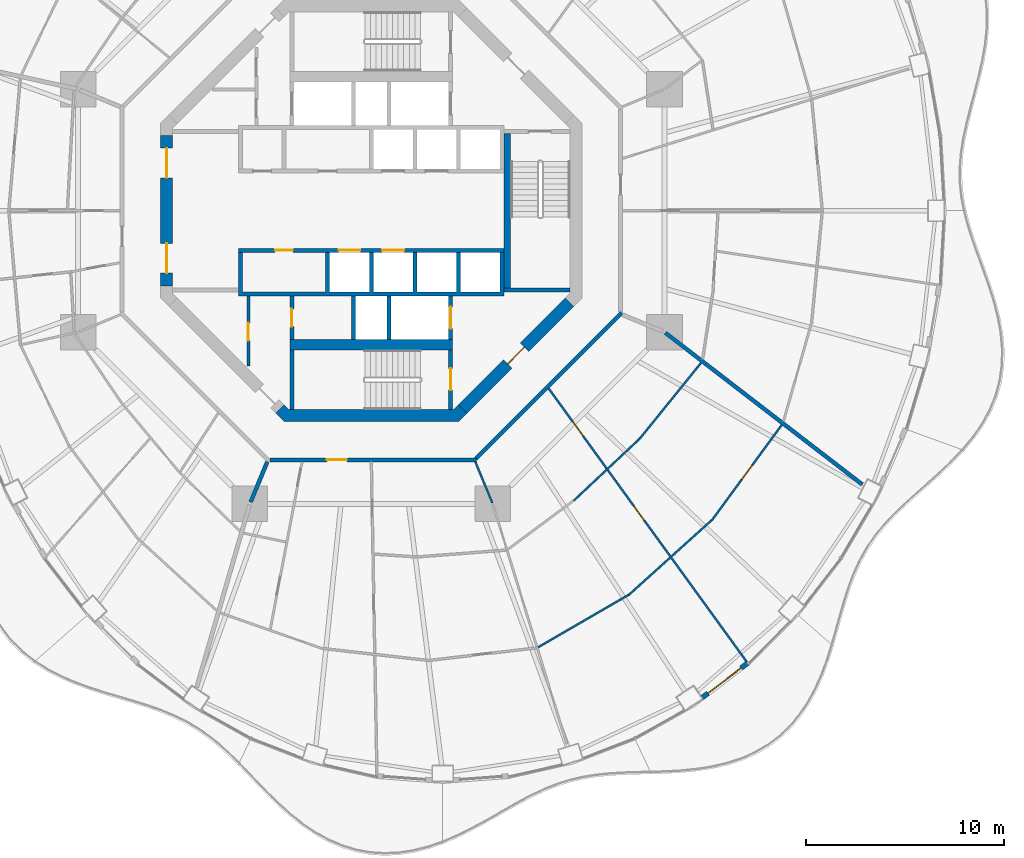
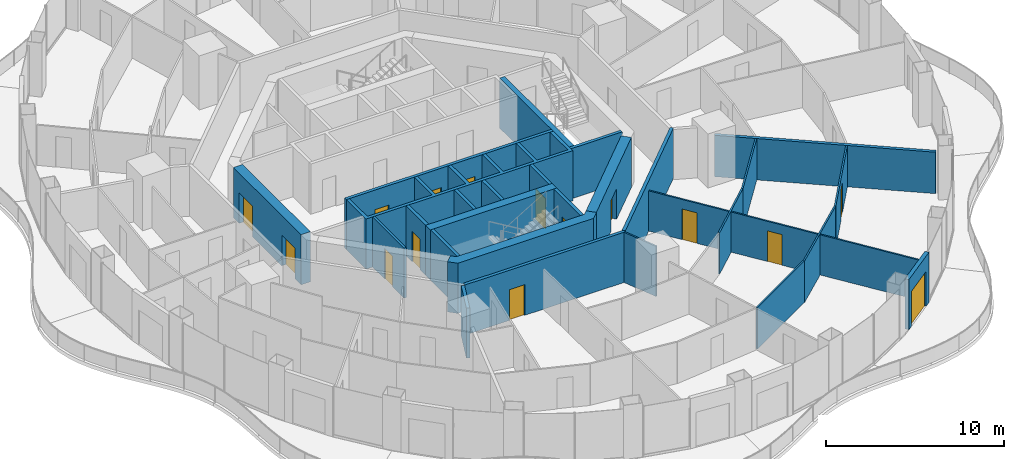
# One storey, part 12 of 19: 27 walls, 15 doors, 15 openings.
"""IFC4 building model written with IfcOpenShell, lengths in metres."""

from ifc_helpers import new_model, si_unit, direction, frame, frame_2d, origin, place, context, subcontext, project, spatial, polyline, rectangle, outline, extrude, material, layer, layer_set, type_object, element, fill, save


model = new_model("IFC4")

# Units and contexts
model_context = context("Model", 3, precision=1e-05, world=origin(), true_north=direction((0.0, 1.0)))
body_context = subcontext(model_context, "Body", "Model", "MODEL_VIEW")
ifc_project = project(units=[si_unit("LENGTHUNIT", "METRE"), si_unit("AREAUNIT", "SQUARE_METRE"), si_unit("VOLUMEUNIT", "CUBIC_METRE"), si_unit("PLANEANGLEUNIT", "RADIAN"), si_unit("MASSUNIT", "GRAM", prefix="KILO")], contexts=[model_context])

# Site, building, storey
site_placement = place(None, origin())
site = spatial("IfcSite", under=ifc_project, at=site_placement, CompositionType="ELEMENT")
building_placement = place(site_placement, origin())
building = spatial("IfcBuilding", under=site, at=building_placement, Name="Nagisa Residences", CompositionType="ELEMENT")
storey_placement = place(building_placement, frame((0.0, 0.0, 173.300048828125)))
storey = spatial("IfcBuildingStorey", under=building, at=storey_placement, Name="L43", CompositionType="ELEMENT", Elevation=173.300048828125)

# Walls
ifc_material_1 = material(Name="Gypsum board on steel studs", Category="steel")
ifc_layer_1 = layer(ifc_material_1, 0.199951171875)
ifc_layer_set_1 = layer_set([ifc_layer_1], Name="Apartment compartment wall EI60 200")
wall_type_1 = type_object("IfcWallType", Name="Apartment compartment wall EI60 200", PredefinedType="PARTITIONING", material=ifc_layer_set_1)
wall_1_placement = place(storey_placement, frame((-5.24267578125, -12.6572265625, 0.0), z_axis=(0.0, 0.0, 1.0), x_axis=(-0.382707856524, -0.923869415315, 0.0)))
element("IfcWall", 1, at=wall_1_placement, inside=storey, type_object=wall_type_1, Name="wall:L43:u04", PredefinedType="PARTITIONING", context=body_context, shape_type="SweptSolid", body=[
    extrude(rectangle(XDim=2.2001953125, YDim=0.199951171875, at=frame_2d((1.10009765625, 0.0))), origin(), (0.0, 0.0, 1.0), 3.43994140625),
])
wall_2_placement = place(storey_placement, frame((14.82177734375, -6.153564453125, 0.0), z_axis=(0.0, 0.0, 1.0), x_axis=(0.792203056092, -0.610257583254, 0.0)))
element("IfcWall", 2, at=wall_2_placement, inside=storey, type_object=wall_type_1, Name="wall:L43:u07", PredefinedType="PARTITIONING", context=body_context, shape_type="SweptSolid", body=[
    extrude(rectangle(XDim=12.53271484375, YDim=0.199951171875, at=frame_2d((6.266357421875, 0.0))), origin(), (0.0, 0.0, 1.0), 2.8369140625),
])

# Wall, opening, door
ifc_material_2 = material(Name="Gypsum board on steel studs", Category="steel")
ifc_layer_2 = layer(ifc_material_2, 0.199951171875)
ifc_layer_set_2 = layer_set([ifc_layer_2], Name="Apartment entry wall EI60 200")
wall_type_2 = type_object("IfcWallType", Name="Apartment entry wall EI60 200", PredefinedType="PARTITIONING", material=ifc_layer_set_2)
wall_3_placement = place(storey_placement, frame((-5.1044921875, -12.564697265625, 0.0), z_axis=(0.0, 0.0, 1.0), x_axis=(1.0, 0.0, 0.0)))
wall_3 = element("IfcWall", 3, at=wall_3_placement, inside=storey, type_object=wall_type_2, Name="wall:L43:u14", PredefinedType="PARTITIONING", context=body_context, shape_type="SweptSolid", body=[
    extrude(rectangle(XDim=10.408935546875, YDim=0.199951171875, at=frame_2d((5.20458984375, 0.0))), origin(), (0.0, 0.0, 1.0), 3.43994140625),
])
opening_1_placement = place(wall_3_placement, frame((2.86962890625, 0.0, 0.0)))
opening_1 = element("IfcOpeningElement", 4, at=opening_1_placement, cuts=wall_3, Name="Opening L43-U40", PredefinedType="OPENING", context=body_context, shape_type="SweptSolid", body=[
    extrude(rectangle(XDim=1.0, YDim=2.10009765625, at=frame_2d((0.5, 1.050048828125))), frame((0.0, 0.10986328125, 0.0), z_axis=(0.0, -1.0, 0.0), x_axis=(1.0, 0.0, 0.0)), (0.0, 0.0, 1.0), 0.219970703125),
])
ifc_material_3 = material(Name="Timber fire door set", Category="wood")
door_type_1 = type_object("IfcDoorType", Name="Apartment entry door FD30S 1000x2100", OperationType="NOTDEFINED", PredefinedType="DOOR", material=ifc_material_3)
door_1_placement = place(opening_1_placement, frame((1.0, 0.0, 0.0), x_axis=(-1.0, 0.0, 0.0)))
door_1 = element("IfcDoor", 5, at=door_1_placement, inside=storey, type_object=door_type_1, Name="Entry door, Apartment 43D", OperationType="SINGLE_SWING_LEFT", OverallHeight=2.10009765625, OverallWidth=1.0, PredefinedType="DOOR", context=body_context, shape_type="SweptSolid", body=[
    extrude(rectangle(XDim=1.0, YDim=2.10009765625, at=frame_2d((0.5, 1.050048828125))), frame((0.0, 0.02490234375, 0.0), z_axis=(0.0, -1.0, 0.0), x_axis=(1.0, 0.0, 0.0)), (0.0, 0.0, 1.0), 0.050048828125),
])
fill(opening_1, door_1)

# Walls
wall_4_placement = place(storey_placement, frame((5.275146484375, -12.494140625, 0.0), z_axis=(0.0, 0.0, 1.0), x_axis=(0.707106781187, 0.707106781187, 0.0)))
element("IfcWall", 6, at=wall_4_placement, inside=storey, type_object=wall_type_2, Name="wall:L43:u15", PredefinedType="PARTITIONING", context=body_context, shape_type="SweptSolid", body=[
    extrude(rectangle(XDim=10.4091796875, YDim=0.199951171875, at=frame_2d((5.20458984375, 0.0))), origin(), (0.0, 0.0, 1.0), 3.43994140625),
])
ifc_material_4 = material(Name="Gypsum board on steel studs", Category="steel")
ifc_layer_3 = layer(ifc_material_4, 0.10009765625)
ifc_layer_set_3 = layer_set([ifc_layer_3], Name="Apartment partition 100")
wall_type_3 = type_object("IfcWallType", Name="Apartment partition 100", PredefinedType="PARTITIONING", material=ifc_layer_set_3)
wall_5_placement = place(storey_placement, frame((5.24267578125, -12.6572265625, 0.0), z_axis=(0.0, 0.0, 1.0), x_axis=(0.382719158442, -0.923864733477, 0.0)))
element("IfcWall", 7, at=wall_5_placement, inside=storey, type_object=wall_type_3, Name="wall:L43:u78", PredefinedType="PARTITIONING", context=body_context, shape_type="SweptSolid", body=[
    extrude(rectangle(XDim=2.25, YDim=0.10009765625, at=frame_2d((1.125, 0.0))), origin(), (0.0, 0.0, 1.0), 3.43994140625),
])
wall_6_placement = place(storey_placement, frame((8.405029296875, -22.01318359375, 0.0), z_axis=(0.0, 0.0, 1.0), x_axis=(0.865277177388, 0.501293732547, 0.0)))
element("IfcWall", 8, at=wall_6_placement, inside=storey, type_object=wall_type_3, Name="wall:L43:u81", PredefinedType="PARTITIONING", context=body_context, shape_type="SweptSolid", body=[
    extrude(rectangle(XDim=5.27001953125, YDim=0.10009765625, at=frame_2d((2.635009765625, 0.0))), origin(), (0.0, 0.0, 1.0), 2.8369140625),
])
wall_7_placement = place(storey_placement, frame((10.21044921875, -14.614013671875, 0.0), z_axis=(0.0, 0.0, 1.0), x_axis=(0.728883199496, 0.684638066055, 0.0)))
element("IfcWall", 9, at=wall_7_placement, inside=storey, type_object=wall_type_3, Name="wall:L43:u82", PredefinedType="PARTITIONING", context=body_context, shape_type="SweptSolid", body=[
    extrude(rectangle(XDim=4.519287109375, YDim=0.10009765625, at=frame_2d((2.259765625, 0.0))), origin(), (0.0, 0.0, 1.0), 2.8369140625),
])
wall_8_placement = place(storey_placement, frame((12.97119140625, -19.3798828125, 0.0), z_axis=(0.0, 0.0, 1.0), x_axis=(0.742768881471, 0.669547898748, 0.0)))
element("IfcWall", 10, at=wall_8_placement, inside=storey, type_object=wall_type_3, Name="wall:L43:u83", PredefinedType="PARTITIONING", context=body_context, shape_type="SweptSolid", body=[
    extrude(rectangle(XDim=5.6416015625, YDim=0.10009765625, at=frame_2d((2.82080078125, 0.0))), origin(), (0.0, 0.0, 1.0), 2.8369140625),
])

# Wall, openings, doors
wall_9_placement = place(storey_placement, frame((8.943359375, -8.965576171875, 0.0), z_axis=(0.0, 0.0, 1.0), x_axis=(0.586803608919, -0.809729290912, 0.0)))
wall_9 = element("IfcWall", 11, at=wall_9_placement, inside=storey, type_object=wall_type_3, Name="wall:L43:u84", PredefinedType="PARTITIONING", context=body_context, shape_type="SweptSolid", body=[
    extrude(rectangle(XDim=17.1787109375, YDim=0.10009765625, at=frame_2d((8.58935546875, 0.0))), origin(), (0.0, 0.0, 1.0), 2.755859375),
])
opening_2_placement = place(wall_9_placement, frame((2.0625, 0.0, 0.0)))
opening_2 = element("IfcOpeningElement", 12, at=opening_2_placement, cuts=wall_9, Name="Opening L43-U44", PredefinedType="OPENING", context=body_context, shape_type="SweptSolid", body=[
    extrude(rectangle(XDim=0.89990234375, YDim=2.10009765625, at=frame_2d((0.449951171875, 1.050048828125))), frame((0.0, 0.06005859375, 0.0), z_axis=(0.0, -1.0, 0.0), x_axis=(1.0, 0.0, 0.0)), (0.0, 0.0, 1.0), 0.1201171875),
])
opening_3_placement = place(wall_9_placement, frame((7.307861328125, 0.0, 0.0)))
opening_3 = element("IfcOpeningElement", 13, at=opening_3_placement, cuts=wall_9, Name="Opening L43-U48", PredefinedType="OPENING", context=body_context, shape_type="SweptSolid", body=[
    extrude(rectangle(XDim=0.89990234375, YDim=2.10009765625, at=frame_2d((0.449951171875, 1.050048828125))), frame((0.0, 0.06005859375, 0.0), z_axis=(0.0, -1.0, 0.0), x_axis=(1.0, 0.0, 0.0)), (0.0, 0.0, 1.0), 0.1201171875),
])
ifc_material_5 = material(Name="Timber door set", Category="wood")
door_type_2 = type_object("IfcDoorType", Name="Apartment door 900x2100", OperationType="NOTDEFINED", PredefinedType="DOOR", material=ifc_material_5)
door_2_placement = place(opening_2_placement, origin())
door_2 = element("IfcDoor", 14, at=door_2_placement, inside=storey, type_object=door_type_2, Name="Door to laundry, Apartment 43D", OperationType="SINGLE_SWING_RIGHT", OverallHeight=2.10009765625, OverallWidth=0.89990234375, PredefinedType="DOOR", context=body_context, shape_type="SweptSolid", body=[
    extrude(rectangle(XDim=0.89990234375, YDim=2.10009765625, at=frame_2d((0.449951171875, 1.050048828125))), frame((0.0, 0.02490234375, 0.0), z_axis=(0.0, -1.0, 0.0), x_axis=(1.0, 0.0, 0.0)), (0.0, 0.0, 1.0), 0.050048828125),
])
fill(opening_2, door_2)
door_3_placement = place(opening_3_placement, origin())
door_3 = element("IfcDoor", 15, at=door_3_placement, inside=storey, type_object=door_type_2, Name="Door to kitchen, Apartment 43D", OperationType="SINGLE_SWING_RIGHT", OverallHeight=2.10009765625, OverallWidth=0.89990234375, PredefinedType="DOOR", context=body_context, shape_type="SweptSolid", body=[
    extrude(rectangle(XDim=0.89990234375, YDim=2.10009765625, at=frame_2d((0.449951171875, 1.050048828125))), frame((0.0, 0.02490234375, 0.0), z_axis=(0.0, -1.0, 0.0), x_axis=(1.0, 0.0, 0.0)), (0.0, 0.0, 1.0), 0.050048828125),
])
fill(opening_3, door_3)

# Wall
wall_10_placement = place(storey_placement, frame((13.50927734375, -11.524658203125, 0.0), z_axis=(0.0, 0.0, 1.0), x_axis=(0.628764602857, 0.777595700987, 0.0)))
element("IfcWall", 16, at=wall_10_placement, inside=storey, type_object=wall_type_3, Name="wall:L43:u85", PredefinedType="PARTITIONING", context=body_context, shape_type="SweptSolid", body=[
    extrude(rectangle(XDim=4.957275390625, YDim=0.10009765625, at=frame_2d((2.478515625, 0.0))), origin(), (0.0, 0.0, 1.0), 2.8369140625),
])

# Wall, opening, door
wall_11_placement = place(storey_placement, frame((17.169189453125, -15.609375, 0.0), z_axis=(0.0, 0.0, 1.0), x_axis=(0.591122127251, 0.806582066918, 0.0)))
wall_11 = element("IfcWall", 17, at=wall_11_placement, inside=storey, type_object=wall_type_3, Name="wall:L43:u86", PredefinedType="PARTITIONING", context=body_context, shape_type="SweptSolid", body=[
    extrude(rectangle(XDim=5.960205078125, YDim=0.10009765625, at=frame_2d((2.97998046875, 0.0))), origin(), (0.0, 0.0, 1.0), 2.8369140625),
])
opening_4_placement = place(wall_11_placement, frame((2.554931640625, 0.0, 0.0)))
opening_4 = element("IfcOpeningElement", 18, at=opening_4_placement, cuts=wall_11, Name="Opening L43-U52", PredefinedType="OPENING", context=body_context, shape_type="SweptSolid", body=[
    extrude(rectangle(XDim=0.89990234375, YDim=2.10009765625, at=frame_2d((0.449951171875, 1.050048828125))), frame((0.0, 0.06005859375, 0.0), z_axis=(0.0, -1.0, 0.0), x_axis=(1.0, 0.0, 0.0)), (0.0, 0.0, 1.0), 0.1201171875),
])
door_4_placement = place(opening_4_placement, frame((0.89990234375, 0.0, 0.0), x_axis=(-1.0, 0.0, 0.0)))
door_4 = element("IfcDoor", 19, at=door_4_placement, inside=storey, type_object=door_type_2, Name="Door to family room, Apartment 43D", OperationType="SINGLE_SWING_LEFT", OverallHeight=2.10009765625, OverallWidth=0.89990234375, PredefinedType="DOOR", context=body_context, shape_type="SweptSolid", body=[
    extrude(rectangle(XDim=0.89990234375, YDim=2.10009765625, at=frame_2d((0.449951171875, 1.050048828125))), frame((0.0, 0.02490234375, 0.0), z_axis=(0.0, -1.0, 0.0), x_axis=(1.0, 0.0, 0.0)), (0.0, 0.0, 1.0), 0.050048828125),
])
fill(opening_4, door_4)

ifc_material_6 = material(Name="Precast concrete C40/50", Category="concrete")
ifc_layer_4 = layer(ifc_material_6, 0.25)
ifc_layer_set_4 = layer_set([ifc_layer_4], Name="BALCONY DOOR WALL 250")
wall_type_4 = type_object("IfcWallType", Name="BALCONY DOOR WALL 250", PredefinedType="SOLIDWALL", material=ifc_layer_set_4)
wall_12_placement = place(storey_placement, frame((18.9716796875, -22.80859375, 0.0), z_axis=(0.0, 0.0, 1.0), x_axis=(-0.796055733703, -0.60522332146, 0.0)))
wall_12 = element("IfcWall", 20, at=wall_12_placement, inside=storey, type_object=wall_type_4, Name="wall:L43:bay40", PredefinedType="SOLIDWALL", context=body_context, shape_type="SweptSolid", body=[
    extrude(rectangle(XDim=2.9169921875, YDim=0.25, at=frame_2d((1.45849609375, 0.0))), origin(), (0.0, 0.0, 1.0), 3.43994140625),
])
opening_5_placement = place(wall_12_placement, frame((0.408447265625, 0.0, 0.0)))
opening_5 = element("IfcOpeningElement", 21, at=opening_5_placement, cuts=wall_12, Name="Opening BD-L43-14", PredefinedType="OPENING", context=body_context, shape_type="SweptSolid", body=[
    extrude(rectangle(XDim=2.10009765625, YDim=2.39990234375, at=frame_2d((1.050048828125, 1.199951171875))), frame((0.0, 0.135009765625, 0.0), z_axis=(0.0, -1.0, 0.0), x_axis=(1.0, 0.0, 0.0)), (0.0, 0.0, 1.0), 0.27001953125),
])
ifc_material_7 = material(Name="Aluminium and clear glass", Category="aluminium")
door_type_3 = type_object("IfcDoorType", Name="BALCONY SLIDING DOOR 2100x2400", OperationType="SLIDING_TO_LEFT", PredefinedType="DOOR", material=ifc_material_7)
door_5_placement = place(opening_5_placement, origin())
door_5 = element("IfcDoor", 22, at=door_5_placement, inside=storey, type_object=door_type_3, Name="door:L43:bay40", OperationType="SLIDING_TO_LEFT", OverallHeight=2.39990234375, OverallWidth=2.10009765625, PredefinedType="DOOR", context=body_context, shape_type="SweptSolid", body=[
    extrude(rectangle(XDim=2.10009765625, YDim=2.39990234375, at=frame_2d((1.050048828125, 1.199951171875))), frame((0.0, 0.02490234375, 0.0), z_axis=(0.0, -1.0, 0.0), x_axis=(1.0, 0.0, 0.0)), (0.0, 0.0, 1.0), 0.050048828125),
])
fill(opening_5, door_5)

ifc_material_8 = material(Name="Gypsum board on steel studs", Category="steel")
ifc_layer_5 = layer(ifc_material_8, 0.14990234375)
ifc_layer_set_5 = layer_set([ifc_layer_5], Name="Core partition 150")
wall_type_5 = type_object("IfcWallType", Name="Core partition 150", PredefinedType="PARTITIONING", material=ifc_layer_set_5)
wall_13_placement = place(storey_placement, frame((-6.199951171875, -7.826904296875, 0.0), z_axis=(0.0, 0.0, 1.0), x_axis=(0.0, 1.0, 0.0)))
wall_13 = element("IfcWall", 23, at=wall_13_placement, inside=storey, type_object=wall_type_5, Name="wall:L43:SWp", PredefinedType="PARTITIONING", context=body_context, shape_type="SweptSolid", body=[
    extrude(rectangle(XDim=3.52685546875, YDim=0.14990234375, at=frame_2d((1.763427734375, 0.0))), origin(), (0.0, 0.0, 1.0), 3.43994140625),
])
opening_6_placement = place(wall_13_placement, frame((1.27587890625, 0.0, 0.0)))
opening_6 = element("IfcOpeningElement", 24, at=opening_6_placement, cuts=wall_13, Name="Opening L43-C13", PredefinedType="OPENING", context=body_context, shape_type="SweptSolid", body=[
    extrude(rectangle(XDim=0.89990234375, YDim=2.10009765625, at=frame_2d((0.449951171875, 1.050048828125))), frame((0.0, 0.0849609375, 0.0), z_axis=(0.0, -1.0, 0.0), x_axis=(1.0, 0.0, 0.0)), (0.0, 0.0, 1.0), 0.169921875),
])
ifc_material_9 = material(Name="Steel fire door", Category="steel")
door_type_4 = type_object("IfcDoorType", Name="Fire door EI30 900x2100 single swing", OperationType="NOTDEFINED", PredefinedType="DOOR", material=ifc_material_9)
door_6_placement = place(opening_6_placement, origin())
door_6 = element("IfcDoor", 25, at=door_6_placement, inside=storey, type_object=door_type_4, Name="Telecom room door L43", OperationType="SINGLE_SWING_LEFT", OverallHeight=2.10009765625, OverallWidth=0.89990234375, PredefinedType="DOOR", context=body_context, shape_type="SweptSolid", body=[
    extrude(rectangle(XDim=0.89990234375, YDim=2.10009765625, at=frame_2d((0.449951171875, 1.050048828125))), frame((0.0, 0.02490234375, 0.0), z_axis=(0.0, -1.0, 0.0), x_axis=(1.0, 0.0, 0.0)), (0.0, 0.0, 1.0), 0.050048828125),
])
fill(opening_6, door_6)

# Wall, openings, doors
ifc_material_10 = material(Name="Concrete C60", Category="concrete")
ifc_layer_6 = layer(ifc_material_10, 0.60009765625)
ifc_layer_set_6 = layer_set([ifc_layer_6], Name="Core shear wall 600")
wall_type_6 = type_object("IfcWallType", Name="Core shear wall 600", PredefinedType="SHEAR", material=ifc_layer_set_6)
wall_14_placement = place(storey_placement, frame((-10.32470703125, 3.80078125, 0.0), z_axis=(0.0, 0.0, 1.0), x_axis=(0.0, -1.0, 0.0)))
wall_14 = element("IfcWall", 26, at=wall_14_placement, inside=storey, type_object=wall_type_6, Name="wall:L43:core:flat4", PredefinedType="SHEAR", context=body_context, shape_type="SweptSolid", body=[
    extrude(rectangle(XDim=7.6015625, YDim=0.60009765625, at=frame_2d((3.80078125, 0.0))), origin(), (0.0, 0.0, 1.0), 3.43994140625),
])
opening_7_placement = place(wall_14_placement, frame((0.65087890625, 0.0, 0.0)))
opening_7 = element("IfcOpeningElement", 27, at=opening_7_placement, cuts=wall_14, Name="Opening L43-C20", PredefinedType="OPENING", context=body_context, shape_type="SweptSolid", body=[
    extrude(rectangle(XDim=1.5, YDim=2.10009765625, at=frame_2d((0.75, 1.050048828125))), frame((0.0, 0.31005859375, 0.0), z_axis=(0.0, -1.0, 0.0), x_axis=(1.0, 0.0, 0.0)), (0.0, 0.0, 1.0), 0.6201171875),
])
opening_8_placement = place(wall_14_placement, frame((5.450927734375, 0.0, 0.0)))
opening_8 = element("IfcOpeningElement", 28, at=opening_8_placement, cuts=wall_14, Name="Opening L43-C21", PredefinedType="OPENING", context=body_context, shape_type="SweptSolid", body=[
    extrude(rectangle(XDim=1.5, YDim=2.10009765625, at=frame_2d((0.75, 1.050048828125))), frame((0.0, 0.31005859375, 0.0), z_axis=(0.0, -1.0, 0.0), x_axis=(1.0, 0.0, 0.0)), (0.0, 0.0, 1.0), 0.6201171875),
])
ifc_material_11 = material(Name="Steel fire door", Category="steel")
door_type_5 = type_object("IfcDoorType", Name="Fire door EI60 1500x2100 double door single swing", OperationType="DOUBLE_DOOR_SINGLE_SWING", PredefinedType="DOOR", material=ifc_material_11)
door_7_placement = place(opening_7_placement, origin())
door_7 = element("IfcDoor", 29, at=door_7_placement, inside=storey, type_object=door_type_5, Name="Lift lobby door L43 1", OperationType="DOUBLE_DOOR_SINGLE_SWING", OverallHeight=2.10009765625, OverallWidth=1.5, PredefinedType="DOOR", context=body_context, shape_type="SweptSolid", body=[
    extrude(rectangle(XDim=1.5, YDim=2.10009765625, at=frame_2d((0.75, 1.050048828125))), frame((0.0, 0.02490234375, 0.0), z_axis=(0.0, -1.0, 0.0), x_axis=(1.0, 0.0, 0.0)), (0.0, 0.0, 1.0), 0.050048828125),
])
fill(opening_7, door_7)
door_8_placement = place(opening_8_placement, origin())
door_8 = element("IfcDoor", 30, at=door_8_placement, inside=storey, type_object=door_type_5, Name="Lift lobby door L43 2", OperationType="DOUBLE_DOOR_SINGLE_SWING", OverallHeight=2.10009765625, OverallWidth=1.5, PredefinedType="DOOR", context=body_context, shape_type="SweptSolid", body=[
    extrude(rectangle(XDim=1.5, YDim=2.10009765625, at=frame_2d((0.75, 1.050048828125))), frame((0.0, 0.02490234375, 0.0), z_axis=(0.0, -1.0, 0.0), x_axis=(1.0, 0.0, 0.0)), (0.0, 0.0, 1.0), 0.050048828125),
])
fill(opening_8, door_8)

# Wall, opening, door
wall_15_placement = place(storey_placement, frame((4.613037109375, -9.98828125, 0.0), z_axis=(0.0, 0.0, 1.0), x_axis=(0.707106781187, 0.707106781187, 0.0)))
wall_15 = element("IfcWall", 31, at=wall_15_placement, inside=storey, type_object=wall_type_6, Name="wall:L43:core:flat7", PredefinedType="SHEAR", context=body_context, shape_type="SweptSolid", body=[
    extrude(rectangle(XDim=7.601806640625, YDim=0.60009765625, at=frame_2d((3.80078125, 0.0))), origin(), (0.0, 0.0, 1.0), 3.43994140625),
])
opening_9_placement = place(wall_15_placement, frame((3.200927734375, 0.0, 0.0)))
opening_9 = element("IfcOpeningElement", 32, at=opening_9_placement, cuts=wall_15, Name="Opening L43-C19", PredefinedType="OPENING", context=body_context, shape_type="SweptSolid", body=[
    extrude(rectangle(XDim=1.199951171875, YDim=2.10009765625, at=frame_2d((0.60009765625, 1.050048828125))), frame((0.0, 0.31005859375, 0.0), z_axis=(0.0, -1.0, 0.0), x_axis=(1.0, 0.0, 0.0)), (0.0, 0.0, 1.0), 0.6201171875),
])
ifc_material_12 = material(Name="Steel fire door", Category="steel")
door_type_6 = type_object("IfcDoorType", Name="Fire door EI60 1200x2100 single swing", OperationType="NOTDEFINED", PredefinedType="DOOR", material=ifc_material_12)
door_9_placement = place(opening_9_placement, origin())
door_9 = element("IfcDoor", 33, at=door_9_placement, inside=storey, type_object=door_type_6, Name="Firefighting lobby 2 door L43", OperationType="SINGLE_SWING_RIGHT", OverallHeight=2.10009765625, OverallWidth=1.199951171875, PredefinedType="DOOR", context=body_context, shape_type="SweptSolid", body=[
    extrude(rectangle(XDim=1.199951171875, YDim=2.10009765625, at=frame_2d((0.60009765625, 1.050048828125))), frame((0.0, 0.02490234375, 0.0), z_axis=(0.0, -1.0, 0.0), x_axis=(1.0, 0.0, 0.0)), (0.0, 0.0, 1.0), 0.050048828125),
])
fill(opening_9, door_9)

# Wall
wall_16_placement = place(storey_placement, origin())
element("IfcWall", 34, at=wall_16_placement, inside=storey, type_object=wall_type_6, Name="wall:L43:core:flat6", PredefinedType="SHEAR", context=body_context, shape_type="SweptSolid", body=[
    extrude(outline(polyline([(-4.15234375, -10.024658203125), (4.15234375, -10.024658203125), (4.40087890625, -9.776123046875), (4.8251953125, -10.200439453125), (4.40087890625, -10.62451171875), (-4.40087890625, -10.62451171875), (-4.8251953125, -10.200439453125), (-4.40087890625, -9.776123046875), (-4.15234375, -10.024658203125)])), origin(), (0.0, 0.0, 1.0), 3.43994140625),
])

# Wall, opening, door
ifc_material_13 = material(Name="Concrete C60", Category="concrete")
ifc_layer_7 = layer(ifc_material_13, 0.199951171875)
ifc_layer_set_7 = layer_set([ifc_layer_7], Name="Lift shaft wall 200")
wall_type_7 = type_object("IfcWallType", Name="Lift shaft wall 200", PredefinedType="SOLIDWALL", material=ifc_layer_set_7)
wall_17_placement = place(storey_placement, frame((4.0, -6.5, 0.0), z_axis=(0.0, 0.0, 1.0), x_axis=(0.0, 1.0, 0.0)))
wall_17 = element("IfcWall", 35, at=wall_17_placement, inside=storey, type_object=wall_type_7, Name="wall:L43:Sb3", PredefinedType="SOLIDWALL", context=body_context, shape_type="SweptSolid", body=[
    extrude(rectangle(XDim=2.199951171875, YDim=0.199951171875, at=frame_2d((1.10009765625, 0.0))), origin(), (0.0, 0.0, 1.0), 3.43994140625),
])
opening_10_placement = place(wall_17_placement, frame((0.550048828125, 0.0, 0.0)))
opening_10 = element("IfcOpeningElement", 36, at=opening_10_placement, cuts=wall_17, Name="Opening L43-C06", PredefinedType="OPENING", context=body_context, shape_type="SweptSolid", body=[
    extrude(rectangle(XDim=1.10009765625, YDim=2.10009765625, at=frame_2d((0.550048828125, 1.050048828125))), frame((0.0, 0.10986328125, 0.0), z_axis=(0.0, -1.0, 0.0), x_axis=(1.0, 0.0, 0.0)), (0.0, 0.0, 1.0), 0.219970703125),
])
ifc_material_14 = material(Name="Stainless steel", Category="steel")
door_type_7 = type_object("IfcDoorType", Name="Lift landing door 1100x2100", OperationType="DOUBLE_DOOR_SLIDING", PredefinedType="DOOR", material=ifc_material_14)
door_10_placement = place(opening_10_placement, origin())
door_10 = element("IfcDoor", 37, at=door_10_placement, inside=storey, type_object=door_type_7, Name="Landing door FL2 L43", OperationType="DOUBLE_DOOR_SLIDING", OverallHeight=2.10009765625, OverallWidth=1.10009765625, PredefinedType="DOOR", context=body_context, shape_type="SweptSolid", body=[
    extrude(rectangle(XDim=1.10009765625, YDim=2.10009765625, at=frame_2d((0.550048828125, 1.050048828125))), frame((0.0, 0.02490234375, 0.0), z_axis=(0.0, -1.0, 0.0), x_axis=(1.0, 0.0, 0.0)), (0.0, 0.0, 1.0), 0.050048828125),
])
fill(opening_10, door_10)

wall_18_placement = place(storey_placement, frame((-4.0, -6.5, 0.0), z_axis=(0.0, 0.0, 1.0), x_axis=(0.0, 1.0, 0.0)))
wall_18 = element("IfcWall", 38, at=wall_18_placement, inside=storey, type_object=wall_type_7, Name="wall:L43:Sb4", PredefinedType="SOLIDWALL", context=body_context, shape_type="SweptSolid", body=[
    extrude(rectangle(XDim=2.199951171875, YDim=0.199951171875, at=frame_2d((1.10009765625, 0.0))), origin(), (0.0, 0.0, 1.0), 3.43994140625),
])
opening_11_placement = place(wall_18_placement, frame((0.64990234375, 0.0, 0.0)))
opening_11 = element("IfcOpeningElement", 39, at=opening_11_placement, cuts=wall_18, Name="Opening L43-C14", PredefinedType="OPENING", context=body_context, shape_type="SweptSolid", body=[
    extrude(rectangle(XDim=0.89990234375, YDim=2.10009765625, at=frame_2d((0.449951171875, 1.050048828125))), frame((0.0, 0.10986328125, 0.0), z_axis=(0.0, -1.0, 0.0), x_axis=(1.0, 0.0, 0.0)), (0.0, 0.0, 1.0), 0.219970703125),
])
door_11_placement = place(opening_11_placement, frame((0.89990234375, 0.0, 0.0), x_axis=(-1.0, 0.0, 0.0)))
door_11 = element("IfcDoor", 40, at=door_11_placement, inside=storey, type_object=door_type_4, Name="Refuse room door L43", OperationType="SINGLE_SWING_RIGHT", OverallHeight=2.10009765625, OverallWidth=0.89990234375, PredefinedType="DOOR", context=body_context, shape_type="SweptSolid", body=[
    extrude(rectangle(XDim=0.89990234375, YDim=2.10009765625, at=frame_2d((0.449951171875, 1.050048828125))), frame((0.0, 0.02490234375, 0.0), z_axis=(0.0, -1.0, 0.0), x_axis=(1.0, 0.0, 0.0)), (0.0, 0.0, 1.0), 0.050048828125),
])
fill(opening_11, door_11)

# Wall, openings, doors
wall_19_placement = place(storey_placement, frame((-6.699951171875, -2.0, 0.0), z_axis=(0.0, 0.0, 1.0), x_axis=(1.0, 0.0, 0.0)))
wall_19 = element("IfcWall", 41, at=wall_19_placement, inside=storey, type_object=wall_type_7, Name="wall:L43:Sfront", PredefinedType="SOLIDWALL", context=body_context, shape_type="SweptSolid", body=[
    extrude(rectangle(XDim=13.39990234375, YDim=0.199951171875, at=frame_2d((6.699951171875, 0.0))), origin(), (0.0, 0.0, 1.0), 3.43994140625),
])
opening_12_placement = place(wall_19_placement, frame((5.050048828125, 0.0, 0.0)))
opening_12 = element("IfcOpeningElement", 42, at=opening_12_placement, cuts=wall_19, Name="Opening L43-C03", PredefinedType="OPENING", context=body_context, shape_type="SweptSolid", body=[
    extrude(rectangle(XDim=1.10009765625, YDim=2.10009765625, at=frame_2d((0.550048828125, 1.050048828125))), frame((0.0, 0.10986328125, 0.0), z_axis=(0.0, -1.0, 0.0), x_axis=(1.0, 0.0, 0.0)), (0.0, 0.0, 1.0), 0.219970703125),
])
opening_13_placement = place(wall_19_placement, frame((7.25, 0.0, 0.0)))
opening_13 = element("IfcOpeningElement", 43, at=opening_13_placement, cuts=wall_19, Name="Opening L43-C04", PredefinedType="OPENING", context=body_context, shape_type="SweptSolid", body=[
    extrude(rectangle(XDim=1.10009765625, YDim=2.10009765625, at=frame_2d((0.550048828125, 1.050048828125))), frame((0.0, 0.10986328125, 0.0), z_axis=(0.0, -1.0, 0.0), x_axis=(1.0, 0.0, 0.0)), (0.0, 0.0, 1.0), 0.219970703125),
])
opening_14_placement = place(wall_19_placement, frame((1.85009765625, 0.0, 0.0)))
opening_14 = element("IfcOpeningElement", 44, at=opening_14_placement, cuts=wall_19, Name="Opening L43-C17", PredefinedType="OPENING", context=body_context, shape_type="SweptSolid", body=[
    extrude(rectangle(XDim=0.89990234375, YDim=2.10009765625, at=frame_2d((0.449951171875, 1.050048828125))), frame((0.0, 0.10986328125, 0.0), z_axis=(0.0, -1.0, 0.0), x_axis=(1.0, 0.0, 0.0)), (0.0, 0.0, 1.0), 0.219970703125),
])
door_12_placement = place(opening_14_placement, frame((0.89990234375, 0.0, 0.0), x_axis=(-1.0, 0.0, 0.0)))
door_12 = element("IfcDoor", 45, at=door_12_placement, inside=storey, type_object=door_type_4, Name="Package room door L43", OperationType="SINGLE_SWING_LEFT", OverallHeight=2.10009765625, OverallWidth=0.89990234375, PredefinedType="DOOR", context=body_context, shape_type="SweptSolid", body=[
    extrude(rectangle(XDim=0.89990234375, YDim=2.10009765625, at=frame_2d((0.449951171875, 1.050048828125))), frame((0.0, 0.02490234375, 0.0), z_axis=(0.0, -1.0, 0.0), x_axis=(1.0, 0.0, 0.0)), (0.0, 0.0, 1.0), 0.050048828125),
])
fill(opening_14, door_12)
door_13_placement = place(opening_12_placement, origin())
door_13 = element("IfcDoor", 46, at=door_13_placement, inside=storey, type_object=door_type_7, Name="Landing door B3 L43", OperationType="DOUBLE_DOOR_SLIDING", OverallHeight=2.10009765625, OverallWidth=1.10009765625, PredefinedType="DOOR", context=body_context, shape_type="SweptSolid", body=[
    extrude(rectangle(XDim=1.10009765625, YDim=2.10009765625, at=frame_2d((0.550048828125, 1.050048828125))), frame((0.0, 0.02490234375, 0.0), z_axis=(0.0, -1.0, 0.0), x_axis=(1.0, 0.0, 0.0)), (0.0, 0.0, 1.0), 0.050048828125),
])
fill(opening_12, door_13)
door_14_placement = place(opening_13_placement, origin())
door_14 = element("IfcDoor", 47, at=door_14_placement, inside=storey, type_object=door_type_7, Name="Landing door B4 L43", OperationType="DOUBLE_DOOR_SLIDING", OverallHeight=2.10009765625, OverallWidth=1.10009765625, PredefinedType="DOOR", context=body_context, shape_type="SweptSolid", body=[
    extrude(rectangle(XDim=1.10009765625, YDim=2.10009765625, at=frame_2d((0.550048828125, 1.050048828125))), frame((0.0, 0.02490234375, 0.0), z_axis=(0.0, -1.0, 0.0), x_axis=(1.0, 0.0, 0.0)), (0.0, 0.0, 1.0), 0.050048828125),
])
fill(opening_13, door_14)

# Walls
for number, where, z_axis, x_axis, name in (
    (48, (-0.89990234375, -6.5, 0.0), (0.0, 0.0, 1.0), (0.0, 1.0, 0.0), "wall:L43:Sb1"),
    (49, (0.89990234375, -6.5, 0.0), (0.0, 0.0, 1.0), (0.0, 1.0, 0.0), "wall:L43:Sb2"),
):
    element("IfcWall", number, at=place(storey_placement, frame(where, z_axis=z_axis, x_axis=x_axis)), inside=storey, type_object=wall_type_7, Name=name, PredefinedType="SOLIDWALL", context=body_context, shape_type="SweptSolid", body=[
        extrude(rectangle(XDim=2.199951171875, YDim=0.199951171875, at=frame_2d((1.10009765625, 0.0))), origin(), (0.0, 0.0, 1.0), 3.43994140625),
    ])
wall_20_placement = place(storey_placement, origin())
element("IfcWall", 50, at=wall_20_placement, inside=storey, type_object=wall_type_7, Name="wall:L43:Sback", PredefinedType="SOLIDWALL", context=body_context, shape_type="SweptSolid", body=[
    extrude(outline(polyline([(-6.699951171875, -2.10009765625), (-6.5, -2.10009765625), (-6.5, -4.10009765625), (-2.300048828125, -4.10009765625), (-2.300048828125, -2.10009765625), (-2.10009765625, -2.10009765625), (-2.10009765625, -4.10009765625), (-0.10009765625, -4.10009765625), (-0.10009765625, -2.10009765625), (0.10009765625, -2.10009765625), (0.10009765625, -4.10009765625), (2.10009765625, -4.10009765625), (2.10009765625, -2.10009765625), (2.300048828125, -2.10009765625), (2.300048828125, -4.10009765625), (4.300048828125, -4.10009765625), (4.300048828125, -2.10009765625), (4.5, -2.10009765625), (4.5, -4.10009765625), (6.5, -4.10009765625), (6.5, -2.10009765625), (6.699951171875, -2.10009765625), (6.699951171875, -4.300048828125), (-6.699951171875, -4.300048828125), (-6.699951171875, -2.10009765625)])), origin(), (0.0, 0.0, 1.0), 3.43994140625),
])

# Wall, opening, door
ifc_material_15 = material(Name="Concrete C60", Category="concrete")
ifc_layer_8 = layer(ifc_material_15, 0.199951171875)
ifc_layer_set_8 = layer_set([ifc_layer_8], Name="Stair enclosure wall 200")
wall_type_8 = type_object("IfcWallType", Name="Stair enclosure wall 200", PredefinedType="SOLIDWALL", material=ifc_layer_set_8)
wall_21_placement = place(storey_placement, frame((4.0, -10.024658203125, 0.0), z_axis=(0.0, 0.0, 1.0), x_axis=(0.0, 1.0, 0.0)))
wall_21 = element("IfcWall", 51, at=wall_21_placement, inside=storey, type_object=wall_type_8, Name="wall:L43:SS_e", PredefinedType="SOLIDWALL", context=body_context, shape_type="SweptSolid", body=[
    extrude(rectangle(XDim=3.0, YDim=0.199951171875, at=frame_2d((1.5, 0.0))), origin(), (0.0, 0.0, 1.0), 3.43994140625),
])
opening_15_placement = place(wall_21_placement, frame((0.974609375, 0.0, 0.0)))
opening_15 = element("IfcOpeningElement", 52, at=opening_15_placement, cuts=wall_21, Name="Opening L43-C10", PredefinedType="OPENING", context=body_context, shape_type="SweptSolid", body=[
    extrude(rectangle(XDim=1.10009765625, YDim=2.10009765625, at=frame_2d((0.550048828125, 1.050048828125))), frame((0.0, 0.10986328125, 0.0), z_axis=(0.0, -1.0, 0.0), x_axis=(1.0, 0.0, 0.0)), (0.0, 0.0, 1.0), 0.219970703125),
])
ifc_material_16 = material(Name="Steel fire door", Category="steel")
door_type_8 = type_object("IfcDoorType", Name="Fire door EI90 1100x2100 single swing", OperationType="NOTDEFINED", PredefinedType="DOOR", material=ifc_material_16)
door_15_placement = place(opening_15_placement, origin())
door_15 = element("IfcDoor", 53, at=door_15_placement, inside=storey, type_object=door_type_8, Name="Stair door ST-S L43", OperationType="SINGLE_SWING_LEFT", OverallHeight=2.10009765625, OverallWidth=1.10009765625, PredefinedType="DOOR", context=body_context, shape_type="SweptSolid", body=[
    extrude(rectangle(XDim=1.10009765625, YDim=2.10009765625, at=frame_2d((0.550048828125, 1.050048828125))), frame((0.0, 0.02490234375, 0.0), z_axis=(0.0, -1.0, 0.0), x_axis=(1.0, 0.0, 0.0)), (0.0, 0.0, 1.0), 0.050048828125),
])
fill(opening_15, door_15)

# Walls
wall_22_placement = place(storey_placement, origin())
element("IfcWall", 54, at=wall_22_placement, inside=storey, type_object=wall_type_8, Name="wall:L43:SS_w", PredefinedType="SOLIDWALL", context=body_context, shape_type="SweptSolid", body=[
    extrude(outline(polyline([(-3.89990234375, -10.024658203125), (-4.10009765625, -10.024658203125), (-4.10009765625, -7.024658203125), (-3.89990234375, -7.024658203125), (-3.89990234375, -10.024658203125)])), origin(), (0.0, 0.0, 1.0), 3.43994140625),
])
wall_23_placement = place(storey_placement, origin())
element("IfcWall", 55, at=wall_23_placement, inside=storey, type_object=wall_type_8, Name="wall:L43:SS_n", PredefinedType="SOLIDWALL", context=body_context, shape_type="SweptSolid", body=[
    extrude(outline(polyline([(4.10009765625, -7.024658203125), (-4.10009765625, -7.024658203125), (-4.10009765625, -6.5), (4.10009765625, -6.5), (4.10009765625, -7.024658203125)])), origin(), (0.0, 0.0, 1.0), 3.43994140625),
])
wall_24_placement = place(storey_placement, origin())
element("IfcWall", 56, at=wall_24_placement, inside=storey, type_object=wall_type_8, Name="wall:L43:SE_w", PredefinedType="SOLIDWALL", context=body_context, shape_type="SweptSolid", body=[
    extrude(outline(polyline([(7.024658203125, -3.89990234375), (6.699951171875, -3.89990234375), (6.699951171875, 3.89990234375), (7.024658203125, 3.89990234375), (7.024658203125, -3.89990234375)])), origin(), (0.0, 0.0, 1.0), 3.43994140625),
])
wall_25_placement = place(storey_placement, origin())
element("IfcWall", 57, at=wall_25_placement, inside=storey, type_object=wall_type_8, Name="wall:L43:SE_s", PredefinedType="SOLIDWALL", context=body_context, shape_type="SweptSolid", body=[
    extrude(outline(polyline([(10.024658203125, -4.10009765625), (6.699951171875, -4.10009765625), (6.699951171875, -3.89990234375), (10.024658203125, -3.89990234375), (10.024658203125, -4.10009765625)])), origin(), (0.0, 0.0, 1.0), 3.43994140625),
])

save(model, "model.ifc")
